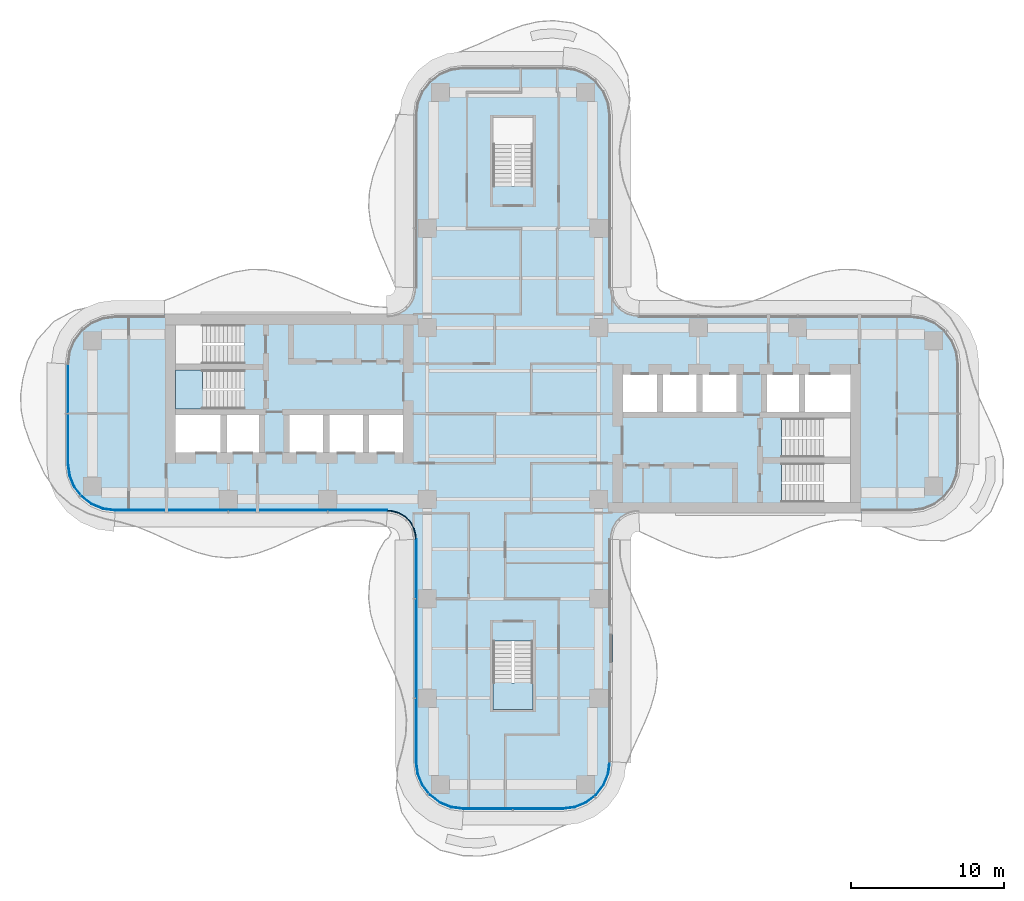
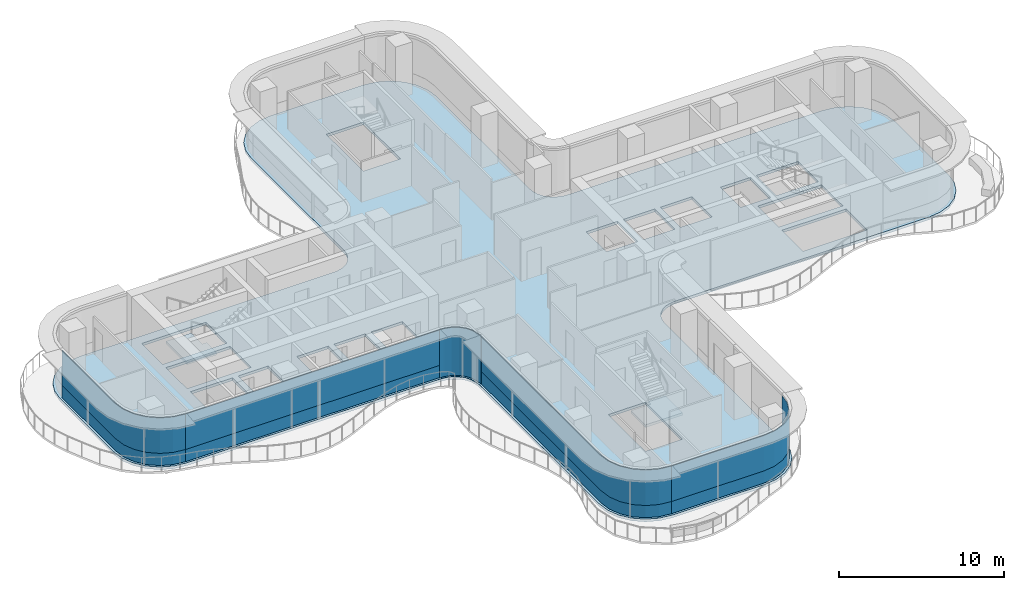
# One storey, part 10 of 18: 9 plates, 3 slabs, 7 elements without a shape of their own.
"""IFC4 building model written with IfcOpenShell, lengths in metres."""

from ifc_helpers import new_model, si_unit, direction, frame, origin, place, context, subcontext, project, spatial, polyline, outline, extrude, source, transform, mapped, material, layer, layer_set, type_object, element, aggregate, save


model = new_model("IFC4")

# Units and contexts
model_context = context("Model", 3, precision=1e-05, world=origin(), true_north=direction((0.0, 1.0)))
body_context = subcontext(model_context, "Body", "Model", "MODEL_VIEW")
ifc_project = project(units=[si_unit("LENGTHUNIT", "METRE"), si_unit("AREAUNIT", "SQUARE_METRE"), si_unit("VOLUMEUNIT", "CUBIC_METRE"), si_unit("PLANEANGLEUNIT", "RADIAN"), si_unit("MASSUNIT", "GRAM", prefix="KILO")], contexts=[model_context])

# Site, building, storey
site_placement = place(None, origin())
site = spatial("IfcSite", under=ifc_project, at=site_placement, CompositionType="ELEMENT")
building_placement = place(site_placement, origin())
building = spatial("IfcBuilding", under=site, at=building_placement, Name="Trellis Farm Tower", CompositionType="ELEMENT")
storey_placement = place(building_placement, frame((0.0, 0.0, 193.199951171875)))
storey = spatial("IfcBuildingStorey", under=building, at=storey_placement, Name="L42", CompositionType="ELEMENT", Elevation=193.199951171875)

# Slab
ifc_material_1 = material(Name="Concrete C40/50", Category="concrete")
ifc_layer_1 = layer(ifc_material_1, 0.199951171875)
ifc_layer_set_1 = layer_set([ifc_layer_1], Name="Composite deck floor slab 200")
slab_type_1 = type_object("IfcSlabType", Name="Composite deck floor slab 200", PredefinedType="FLOOR", material=ifc_layer_set_1)
shared_shape_1 = source(origin(), body_context, "Body", "SweptSolid", [
    extrude(outline(polyline([(-26.84130859375, -6.389404296875), (-27.625, -6.064697265625), (-28.298095703125, -5.548095703125), (-28.814697265625, -4.875), (-29.139404296875, -4.09130859375), (-29.25, -3.25), (-29.25, 3.25), (-29.139404296875, 4.09130859375), (-28.814697265625, 4.875), (-28.298095703125, 5.548095703125), (-27.625, 6.064697265625), (-26.84130859375, 6.389404296875), (-26.0, 6.5), (-8.2314453125, 6.5), (-8.01953125, 6.513916015625), (-7.91552734375, 6.527587890625), (-7.508544921875, 6.63671875), (-7.144287109375, 6.846923828125), (-6.846923828125, 7.144287109375), (-6.63671875, 7.508544921875), (-6.527587890625, 7.91552734375), (-6.513916015625, 8.01953125), (-6.5, 8.2314453125), (-6.5, 19.5), (-6.389404296875, 20.34130859375), (-6.064697265625, 21.125), (-5.548095703125, 21.798095703125), (-4.875, 22.314697265625), (-4.09130859375, 22.639404296875), (-3.25, 22.75), (3.25, 22.75), (4.09130859375, 22.639404296875), (4.875, 22.314697265625), (5.548095703125, 21.798095703125), (6.064697265625, 21.125), (6.389404296875, 20.34130859375), (6.5, 19.5), (6.5, 8.2314453125), (6.513916015625, 8.01953125), (6.527587890625, 7.91552734375), (6.63671875, 7.508544921875), (6.846923828125, 7.144287109375), (7.144287109375, 6.846923828125), (7.508544921875, 6.63671875), (7.91552734375, 6.527587890625), (8.01953125, 6.513916015625), (8.2314453125, 6.5), (26.0, 6.5), (26.84130859375, 6.389404296875), (27.625, 6.064697265625), (28.298095703125, 5.548095703125), (28.814697265625, 4.875), (29.139404296875, 4.09130859375), (29.25, 3.25), (29.25, -3.25), (29.139404296875, -4.09130859375), (28.814697265625, -4.875), (28.298095703125, -5.548095703125), (27.625, -6.064697265625), (26.84130859375, -6.389404296875), (26.0, -6.5), (8.2314453125, -6.5), (8.01953125, -6.513916015625), (7.91552734375, -6.527587890625), (7.508544921875, -6.63671875), (7.144287109375, -6.846923828125), (6.846923828125, -7.144287109375), (6.63671875, -7.508544921875), (6.527587890625, -7.91552734375), (6.513916015625, -8.01953125), (6.5, -8.2314453125), (6.5, -22.75), (6.389404296875, -23.59130859375), (6.064697265625, -24.375), (5.548095703125, -25.048095703125), (4.875, -25.564697265625), (4.09130859375, -25.889404296875), (3.25, -26.0), (-3.25, -26.0), (-4.09130859375, -25.889404296875), (-4.875, -25.564697265625), (-5.548095703125, -25.048095703125), (-6.064697265625, -24.375), (-6.389404296875, -23.59130859375), (-6.5, -22.75), (-6.5, -8.2314453125), (-6.513916015625, -8.01953125), (-6.527587890625, -7.91552734375), (-6.63671875, -7.508544921875), (-6.846923828125, -7.144287109375), (-7.144287109375, -6.846923828125), (-7.508544921875, -6.63671875), (-7.91552734375, -6.527587890625), (-8.01953125, -6.513916015625), (-8.2314453125, -6.5), (-26.0, -6.5), (-26.84130859375, -6.389404296875)]), holes=[polyline([(-22.050048828125, -0.10009765625), (-22.050048828125, -2.550048828125), (-19.10009765625, -2.550048828125), (-19.10009765625, -0.10009765625), (-22.050048828125, -0.10009765625)]), polyline([(-18.699951171875, -0.10009765625), (-18.699951171875, -2.550048828125), (-16.60009765625, -2.550048828125), (-16.60009765625, -0.10009765625), (-18.699951171875, -0.10009765625)]), polyline([(-14.60009765625, -0.10009765625), (-14.60009765625, -2.550048828125), (-12.39990234375, -2.550048828125), (-12.39990234375, -0.10009765625), (-14.60009765625, -0.10009765625)]), polyline([(-12.0, -0.10009765625), (-12.0, -2.550048828125), (-9.800048828125, -2.550048828125), (-9.800048828125, -0.10009765625), (-12.0, -0.10009765625)]), polyline([(-9.39990234375, -0.10009765625), (-9.39990234375, -2.550048828125), (-7.199951171875, -2.550048828125), (-7.199951171875, -0.10009765625), (-9.39990234375, -0.10009765625)]), polyline([(-17.56201171875, 1.64990234375), (-17.56201171875, 2.85009765625), (-22.050048828125, 2.85009765625), (-22.050048828125, 0.300048828125), (-17.56005859375, 0.300048828125), (-17.56005859375, 1.5), (-17.550048828125, 1.5), (-17.550048828125, 1.64990234375), (-17.56201171875, 1.64990234375)]), polyline([(-17.56201171875, 4.60009765625), (-17.56201171875, 5.800048828125), (-22.050048828125, 5.800048828125), (-22.050048828125, 3.25), (-17.56005859375, 3.25), (-17.56005859375, 4.449951171875), (-17.550048828125, 4.449951171875), (-17.550048828125, 4.60009765625), (-17.56201171875, 4.60009765625)]), polyline([(0.10009765625, 14.862060546875), (1.300048828125, 14.862060546875), (1.300048828125, 19.35009765625), (-1.300048828125, 19.35009765625), (-1.300048828125, 14.860107421875), (-0.10009765625, 14.860107421875), (-0.10009765625, 14.85009765625), (0.10009765625, 14.85009765625), (0.10009765625, 14.862060546875)]), polyline([(-0.10009765625, -14.862060546875), (-1.300048828125, -14.862060546875), (-1.300048828125, -19.35009765625), (1.300048828125, -19.35009765625), (1.300048828125, -14.860107421875), (0.10009765625, -14.860107421875), (0.10009765625, -14.85009765625), (-0.10009765625, -14.85009765625), (-0.10009765625, -14.862060546875)]), polyline([(17.56201171875, -4.60009765625), (17.56201171875, -5.800048828125), (22.050048828125, -5.800048828125), (22.050048828125, -3.25), (17.56005859375, -3.25), (17.56005859375, -4.449951171875), (17.550048828125, -4.449951171875), (17.550048828125, -4.60009765625), (17.56201171875, -4.60009765625)]), polyline([(17.56201171875, -1.64990234375), (17.56201171875, -2.85009765625), (22.050048828125, -2.85009765625), (22.050048828125, -0.300048828125), (17.56005859375, -0.300048828125), (17.56005859375, -1.5), (17.550048828125, -1.5), (17.550048828125, -1.64990234375), (17.56201171875, -1.64990234375)]), polyline([(9.39990234375, 0.10009765625), (9.39990234375, 2.550048828125), (7.199951171875, 2.550048828125), (7.199951171875, 0.10009765625), (9.39990234375, 0.10009765625)]), polyline([(12.0, 0.10009765625), (12.0, 2.550048828125), (9.800048828125, 2.550048828125), (9.800048828125, 0.10009765625), (12.0, 0.10009765625)]), polyline([(14.60009765625, 0.10009765625), (14.60009765625, 2.550048828125), (12.39990234375, 2.550048828125), (12.39990234375, 0.10009765625), (14.60009765625, 0.10009765625)]), polyline([(18.699951171875, 0.10009765625), (18.699951171875, 2.550048828125), (16.60009765625, 2.550048828125), (16.60009765625, 0.10009765625), (18.699951171875, 0.10009765625)]), polyline([(22.050048828125, 0.10009765625), (22.050048828125, 2.550048828125), (19.10009765625, 2.550048828125), (19.10009765625, 0.10009765625), (22.050048828125, 0.10009765625)])]), origin(), (0.0, 0.0, 1.0), 0.199951171875),
])
slab_1_placement = place(storey_placement, frame((0.0, 0.0, -0.199951171875)))
element("IfcSlab", 1, at=slab_1_placement, inside=storey, type_object=slab_type_1, Name="Floor slab", PredefinedType="FLOOR", context=body_context, shape_type="MappedRepresentation", body=[
    mapped(shared_shape_1, transform((0.0, 0.0, 0.0))),
])

# Stair, slab
ifc_material_2 = material(Name="Concrete C50/60", Category="concrete")
stair_type = type_object("IfcStairType", Name="CORE EXIT STAIR 22 RISERS 177 MM", PredefinedType="HALF_TURN_STAIR", material=ifc_material_2)
placement_1 = place(storey_placement, origin())
stair_1 = element("IfcStair", 2, at=placement_1, inside=storey, type_object=stair_type, Name="Exit stair S", PredefinedType="HALF_TURN_STAIR")
ifc_layer_2 = layer(ifc_material_2, 0.18994140625)
ifc_layer_set_2 = layer_set([ifc_layer_2], Name="CORE STAIR LANDING 190 CONCRETE C50/60")
slab_type_2 = type_object("IfcSlabType", Name="CORE STAIR LANDING 190 CONCRETE C50/60", PredefinedType="LANDING", material=ifc_layer_set_2)
shared_shape_2 = source(origin(), body_context, "Body", "SweptSolid", [
    extrude(outline(polyline([(1.300048828125, -19.35009765625), (-1.300048828125, -19.35009765625), (-1.300048828125, -17.60009765625), (-1.300048828125, -17.590087890625), (-0.10009765625, -17.590087890625), (-0.10009765625, -17.60009765625), (0.10009765625, -17.60009765625), (0.10009765625, -17.27197265625), (1.300048828125, -17.27197265625), (1.300048828125, -17.60009765625), (1.300048828125, -19.35009765625)])), origin(), (0.0, 0.0, 1.0), 0.18994140625),
])
placement_2 = place(storey_placement, frame((0.0, 0.0, 1.760009765625)))
slab_2 = element("IfcSlab", 3, at=placement_2, type_object=slab_type_2, Name="STS landing 1", PredefinedType="LANDING", context=body_context, shape_type="MappedRepresentation", body=[
    mapped(shared_shape_2, transform((0.0, 0.0, 0.0))),
])
aggregate(stair_1, [slab_2])

stair_2 = element("IfcStair", 4, at=placement_1, inside=storey, type_object=stair_type, Name="Exit stair W2", PredefinedType="HALF_TURN_STAIR")
shared_shape_3 = source(origin(), body_context, "Body", "SweptSolid", [
    extrude(outline(polyline([(-19.971923828125, 1.5), (-19.971923828125, 0.300048828125), (-20.300048828125, 0.300048828125), (-22.050048828125, 0.300048828125), (-22.050048828125, 2.85009765625), (-20.300048828125, 2.85009765625), (-20.2900390625, 2.85009765625), (-20.2900390625, 1.64990234375), (-20.300048828125, 1.64990234375), (-20.300048828125, 1.5), (-19.971923828125, 1.5)])), origin(), (0.0, 0.0, 1.0), 0.18994140625),
])
slab_3 = element("IfcSlab", 5, at=placement_2, type_object=slab_type_2, Name="STW2 landing 1", PredefinedType="LANDING", context=body_context, shape_type="MappedRepresentation", body=[
    mapped(shared_shape_3, transform((0.0, 0.0, 0.0))),
])
aggregate(stair_2, [slab_3])

# Curtain wall, plate
ifc_material_3 = material(Name="Aluminium and glass curtain wall", Category="aluminium")
ifc_layer_3 = layer(ifc_material_3, 0.166015625)
ifc_layer_set_3 = layer_set([ifc_layer_3], Name="WINTER GARDEN CURTAIN WALL CW3")
curtain_wall_type_1 = type_object("IfcCurtainWallType", Name="WINTER GARDEN CURTAIN WALL CW3", PredefinedType="NOTDEFINED", material=ifc_layer_set_3)
curtain_wall_1 = element("IfcCurtainWall", 6, at=placement_1, inside=storey, type_object=curtain_wall_type_1, Name="CW3 001", PredefinedType="NOTDEFINED")
ifc_material_4 = material(Name="Clear insulated glass", Category="glass")
ifc_layer_4 = layer(ifc_material_4, 0.0458984375)
ifc_layer_set_4 = layer_set([ifc_layer_4], Name="CW3 GLASS PANEL 46")
plate_type_1 = type_object("IfcPlateType", Name="CW3 GLASS PANEL 46", PredefinedType="CURTAIN_PANEL", material=ifc_layer_set_4)
shared_shape_4 = source(origin(), body_context, "Body", "SweptSolid", [
    extrude(outline(polyline([(-8.2275390625, -6.3798828125), (-8.0078125, -6.394287109375), (-7.89208984375, -6.40966796875), (-7.462158203125, -6.52490234375), (-7.070556640625, -6.7509765625), (-6.7509765625, -7.070556640625), (-6.52490234375, -7.462158203125), (-6.40966796875, -7.89208984375), (-6.394287109375, -8.0078125), (-6.3798828125, -8.2275390625), (-6.333984375, -8.22607421875), (-6.3486328125, -8.003173828125), (-6.364501953125, -7.883056640625), (-6.48193359375, -7.4443359375), (-6.714111328125, -7.04248046875), (-7.04248046875, -6.714111328125), (-7.4443359375, -6.48193359375), (-7.883056640625, -6.364501953125), (-8.003173828125, -6.3486328125), (-8.22607421875, -6.333984375), (-8.2275390625, -6.3798828125)])), origin(), (0.0, 0.0, 1.0), 3.550048828125),
])
plate_1 = element("IfcPlate", 7, at=placement_1, type_object=plate_type_1, Name="PL3 001", PredefinedType="CURTAIN_PANEL", context=body_context, shape_type="MappedRepresentation", body=[
    mapped(shared_shape_4, transform((0.0, 0.0, 0.0))),
])
aggregate(curtain_wall_1, [plate_1])

# Curtain wall, plates
ifc_layer_5 = layer(ifc_material_3, 0.18994140625)
ifc_layer_set_5 = layer_set([ifc_layer_5], Name="RIBBON CURTAIN WALL CW1")
curtain_wall_type_2 = type_object("IfcCurtainWallType", Name="RIBBON CURTAIN WALL CW1", PredefinedType="NOTDEFINED", material=ifc_layer_set_5)
curtain_wall_2 = element("IfcCurtainWall", 8, at=placement_1, inside=storey, type_object=curtain_wall_type_2, Name="CW1 001", PredefinedType="NOTDEFINED")
ifc_layer_6 = layer(ifc_material_4, 0.0400390625)
ifc_layer_set_6 = layer_set([ifc_layer_6], Name="CW1 GLASS PANEL 40")
plate_type_2 = type_object("IfcPlateType", Name="CW1 GLASS PANEL 40", PredefinedType="CURTAIN_PANEL", material=ifc_layer_set_6)
shared_shape_5 = source(origin(), body_context, "Body", "SweptSolid", [
    extrude(outline(polyline([(-25.990234375, -6.35009765625), (-8.2265625, -6.35009765625), (-8.22509765625, -6.31005859375), (-25.987548828125, -6.31005859375), (-25.990234375, -6.35009765625)])), origin(), (0.0, 0.0, 1.0), 2.619873046875),
])
placement_3 = place(storey_placement, frame((0.0, 0.0, 0.900146484375)))
plate_2 = element("IfcPlate", 9, at=placement_3, type_object=plate_type_2, Name="PL1 001", PredefinedType="CURTAIN_PANEL", context=body_context, shape_type="MappedRepresentation", body=[
    mapped(shared_shape_5, transform((0.0, 0.0, 0.0))),
])
ifc_material_5 = material(Name="Sandstone faced insulated panel", Category="masonry")
ifc_layer_7 = layer(ifc_material_5, 0.050048828125)
ifc_layer_set_7 = layer_set([ifc_layer_7], Name="CW1 STONE SPANDREL PANEL 50")
plate_type_3 = type_object("IfcPlateType", Name="CW1 STONE SPANDREL PANEL 50", PredefinedType="CURTAIN_PANEL", material=ifc_layer_set_7)
shared_shape_6 = source(origin(), body_context, "Body", "SweptSolid", [
    extrude(outline(polyline([(-25.990234375, -6.35009765625), (-8.2265625, -6.35009765625), (-8.224853515625, -6.300048828125), (-25.98681640625, -6.300048828125), (-25.990234375, -6.35009765625)])), origin(), (0.0, 0.0, 1.0), 0.900146484375),
])
plate_3 = element("IfcPlate", 10, at=placement_1, type_object=plate_type_3, Name="PS1 001", PredefinedType="CURTAIN_PANEL", context=body_context, shape_type="MappedRepresentation", body=[
    mapped(shared_shape_6, transform((0.0, 0.0, 0.0))),
])
aggregate(curtain_wall_2, [plate_2, plate_3])

curtain_wall_3 = element("IfcCurtainWall", 11, at=placement_1, inside=storey, type_object=curtain_wall_type_2, Name="CW1 002", PredefinedType="NOTDEFINED")
shared_shape_7 = source(origin(), body_context, "Body", "SweptSolid", [
    extrude(outline(polyline([(-6.35009765625, -8.2265625), (-6.35009765625, -22.740234375), (-6.2431640625, -23.552001953125), (-5.93359375, -24.29931640625), (-5.441162109375, -24.941162109375), (-4.79931640625, -25.43359375), (-4.052001953125, -25.7431640625), (-3.240234375, -25.85009765625), (-3.237548828125, -25.81005859375), (-4.04150390625, -25.7041015625), (-4.779296875, -25.398681640625), (-5.41259765625, -24.91259765625), (-5.898681640625, -24.279296875), (-6.2041015625, -23.54150390625), (-6.31005859375, -22.737548828125), (-6.31005859375, -8.22509765625), (-6.35009765625, -8.2265625)])), origin(), (0.0, 0.0, 1.0), 2.619873046875),
])
plate_4 = element("IfcPlate", 12, at=placement_3, type_object=plate_type_2, Name="PL1 002", PredefinedType="CURTAIN_PANEL", context=body_context, shape_type="MappedRepresentation", body=[
    mapped(shared_shape_7, transform((0.0, 0.0, 0.0))),
])
shared_shape_8 = source(origin(), body_context, "Body", "SweptSolid", [
    extrude(outline(polyline([(-6.35009765625, -8.2265625), (-6.35009765625, -22.740234375), (-6.2431640625, -23.552001953125), (-5.93359375, -24.29931640625), (-5.441162109375, -24.941162109375), (-4.79931640625, -25.43359375), (-4.052001953125, -25.7431640625), (-3.240234375, -25.85009765625), (-3.23681640625, -25.800048828125), (-4.0390625, -25.6943359375), (-4.774169921875, -25.389892578125), (-5.405517578125, -24.905517578125), (-5.889892578125, -24.274169921875), (-6.1943359375, -23.5390625), (-6.300048828125, -22.73681640625), (-6.300048828125, -8.224853515625), (-6.35009765625, -8.2265625)])), origin(), (0.0, 0.0, 1.0), 0.900146484375),
])
plate_5 = element("IfcPlate", 13, at=placement_1, type_object=plate_type_3, Name="PS1 002", PredefinedType="CURTAIN_PANEL", context=body_context, shape_type="MappedRepresentation", body=[
    mapped(shared_shape_8, transform((0.0, 0.0, 0.0))),
])
aggregate(curtain_wall_3, [plate_4, plate_5])

curtain_wall_4 = element("IfcCurtainWall", 14, at=placement_1, inside=storey, type_object=curtain_wall_type_2, Name="CW1 003", PredefinedType="NOTDEFINED")
shared_shape_9 = source(origin(), body_context, "Body", "SweptSolid", [
    extrude(outline(polyline([(-3.240234375, -25.85009765625), (3.240234375, -25.85009765625), (4.052001953125, -25.7431640625), (4.79931640625, -25.43359375), (5.441162109375, -24.941162109375), (5.93359375, -24.29931640625), (6.2431640625, -23.552001953125), (6.35009765625, -22.740234375), (6.31005859375, -22.737548828125), (6.2041015625, -23.54150390625), (5.898681640625, -24.279296875), (5.41259765625, -24.91259765625), (4.779296875, -25.398681640625), (4.04150390625, -25.7041015625), (3.237548828125, -25.81005859375), (-3.237548828125, -25.81005859375), (-3.240234375, -25.85009765625)])), origin(), (0.0, 0.0, 1.0), 2.619873046875),
])
plate_6 = element("IfcPlate", 15, at=placement_3, type_object=plate_type_2, Name="PL1 003", PredefinedType="CURTAIN_PANEL", context=body_context, shape_type="MappedRepresentation", body=[
    mapped(shared_shape_9, transform((0.0, 0.0, 0.0))),
])
shared_shape_10 = source(origin(), body_context, "Body", "SweptSolid", [
    extrude(outline(polyline([(-3.240234375, -25.85009765625), (3.240234375, -25.85009765625), (4.052001953125, -25.7431640625), (4.79931640625, -25.43359375), (5.441162109375, -24.941162109375), (5.93359375, -24.29931640625), (6.2431640625, -23.552001953125), (6.35009765625, -22.740234375), (6.300048828125, -22.73681640625), (6.1943359375, -23.5390625), (5.889892578125, -24.274169921875), (5.405517578125, -24.905517578125), (4.774169921875, -25.389892578125), (4.0390625, -25.6943359375), (3.23681640625, -25.800048828125), (-3.23681640625, -25.800048828125), (-3.240234375, -25.85009765625)])), origin(), (0.0, 0.0, 1.0), 0.900146484375),
])
plate_7 = element("IfcPlate", 16, at=placement_1, type_object=plate_type_3, Name="PS1 003", PredefinedType="CURTAIN_PANEL", context=body_context, shape_type="MappedRepresentation", body=[
    mapped(shared_shape_10, transform((0.0, 0.0, 0.0))),
])
aggregate(curtain_wall_4, [plate_6, plate_7])

curtain_wall_5 = element("IfcCurtainWall", 17, at=placement_1, inside=storey, type_object=curtain_wall_type_2, Name="CW1 013", PredefinedType="NOTDEFINED")
shared_shape_11 = source(origin(), body_context, "Body", "SweptSolid", [
    extrude(outline(polyline([(-29.10009765625, 3.240234375), (-29.10009765625, -3.240234375), (-28.9931640625, -4.052001953125), (-28.68359375, -4.79931640625), (-28.191162109375, -5.441162109375), (-27.54931640625, -5.93359375), (-26.802001953125, -6.2431640625), (-25.990234375, -6.35009765625), (-25.987548828125, -6.31005859375), (-26.79150390625, -6.2041015625), (-27.529296875, -5.898681640625), (-28.16259765625, -5.41259765625), (-28.648681640625, -4.779296875), (-28.9541015625, -4.04150390625), (-29.06005859375, -3.237548828125), (-29.06005859375, 3.237548828125), (-29.10009765625, 3.240234375)])), origin(), (0.0, 0.0, 1.0), 2.619873046875),
])
plate_8 = element("IfcPlate", 18, at=placement_3, type_object=plate_type_2, Name="PL1 013", PredefinedType="CURTAIN_PANEL", context=body_context, shape_type="MappedRepresentation", body=[
    mapped(shared_shape_11, transform((0.0, 0.0, 0.0))),
])
shared_shape_12 = source(origin(), body_context, "Body", "SweptSolid", [
    extrude(outline(polyline([(-29.10009765625, 3.240234375), (-29.10009765625, -3.240234375), (-28.9931640625, -4.052001953125), (-28.68359375, -4.79931640625), (-28.191162109375, -5.441162109375), (-27.54931640625, -5.93359375), (-26.802001953125, -6.2431640625), (-25.990234375, -6.35009765625), (-25.98681640625, -6.300048828125), (-26.7890625, -6.1943359375), (-27.524169921875, -5.889892578125), (-28.155517578125, -5.405517578125), (-28.639892578125, -4.774169921875), (-28.9443359375, -4.0390625), (-29.050048828125, -3.23681640625), (-29.050048828125, 3.23681640625), (-29.10009765625, 3.240234375)])), origin(), (0.0, 0.0, 1.0), 0.900146484375),
])
plate_9 = element("IfcPlate", 19, at=placement_1, type_object=plate_type_3, Name="PS1 013", PredefinedType="CURTAIN_PANEL", context=body_context, shape_type="MappedRepresentation", body=[
    mapped(shared_shape_12, transform((0.0, 0.0, 0.0))),
])
aggregate(curtain_wall_5, [plate_8, plate_9])

save(model, "model.ifc")
